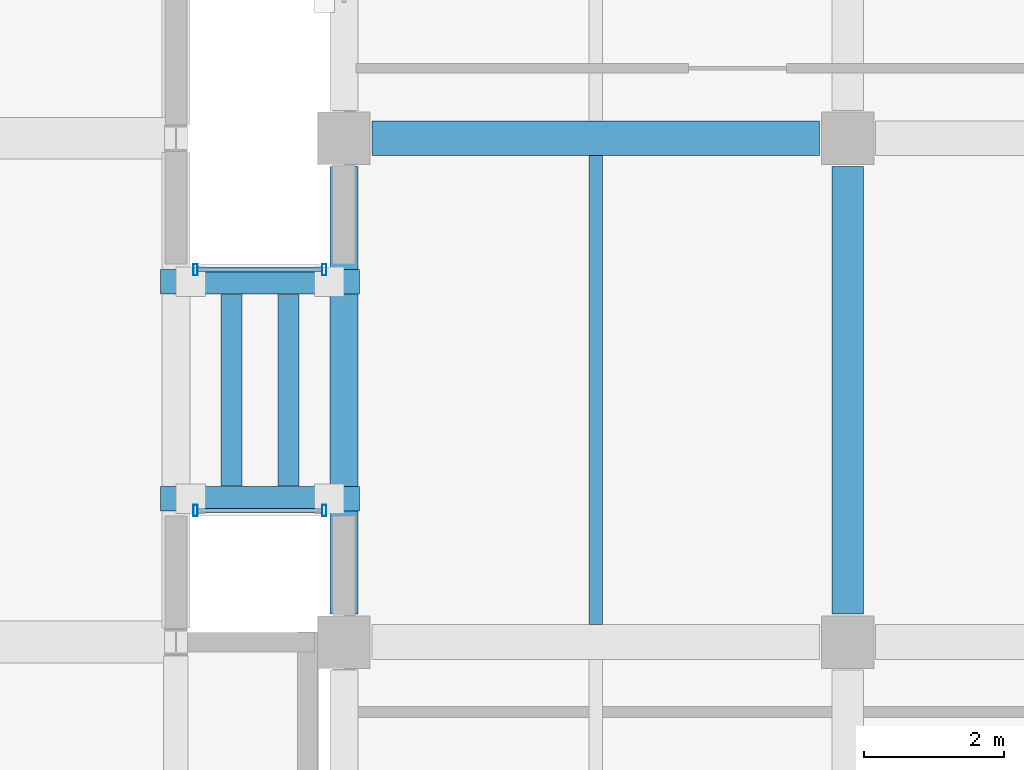
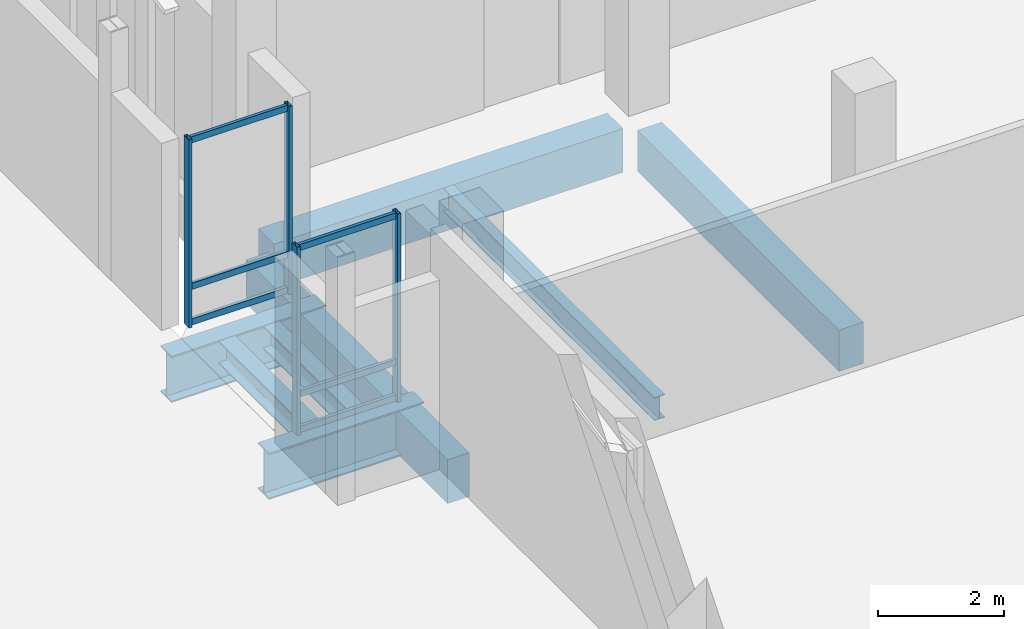
# One storey, part 60 of 193: 10 members, 8 beams, 2 elements without a shape of their own.
"""IFC4 building model written with IfcOpenShell, lengths in metres."""

from ifc_helpers import new_model, si_unit, direction, frame, origin, origin_2d, place, context, subcontext, project, spatial, rectangle, hollow_rectangle, i_section, extrude, material, material_profile, profile_set, type_object, element, aggregate, save


model = new_model("IFC4")

# Units and contexts
model_context = context("Model", 3, precision=1e-05, world=origin(), true_north=direction((0.0, 1.0)))
body_context = subcontext(model_context, "Body", "Model", "MODEL_VIEW")
ifc_project = project(units=[si_unit("LENGTHUNIT", "METRE"), si_unit("AREAUNIT", "SQUARE_METRE"), si_unit("VOLUMEUNIT", "CUBIC_METRE"), si_unit("PLANEANGLEUNIT", "RADIAN"), si_unit("MASSUNIT", "GRAM", prefix="KILO")], contexts=[model_context])

# Site, building, storey
site_placement = place(None, origin())
site = spatial("IfcSite", under=ifc_project, at=site_placement, CompositionType="ELEMENT")
building_placement = place(site_placement, origin())
building = spatial("IfcBuilding", under=site, at=building_placement, Name="Cendralis Lancet Convention Centre", CompositionType="ELEMENT")
storey_placement = place(building_placement, frame((0.0, 0.0, 10.199951171875)))
storey = spatial("IfcBuildingStorey", under=building, at=storey_placement, Name="L02", CompositionType="ELEMENT", Elevation=10.199951171875)

# Curtain wall, members
ifc_material_1 = material(Name="Anodised bronze architectural aluminium", Category="aluminium")
curtain_wall_type = type_object("IfcCurtainWallType", Name="ARC-CW-BR01", PredefinedType="USERDEFINED", material=ifc_material_1)
curtain_wall_1_placement = place(storey_placement, origin())
curtain_wall_1 = element("IfcCurtainWall", 1, at=curtain_wall_1_placement, inside=storey, type_object=curtain_wall_type, Name="L02 Curtain Wall CW-BR1 #205", ObjectType="CURTAIN WALL", PredefinedType="USERDEFINED")
ifc_material_profile_1 = material_profile(ifc_material_1, hollow_rectangle(XDim=0.06005859375, YDim=0.159912109375, WallThickness=0.00390625, at=origin_2d()), Name="AL-MULL 60x160x4.0")
ifc_profile_set_1 = profile_set([ifc_material_profile_1], Name="Anodised bronze architectural aluminium")
member_type_1 = type_object("IfcMemberType", Name="ARC-CW-ML01", PredefinedType="MULLION", material=ifc_profile_set_1)
member_1_placement = place(storey_placement, frame((129.8798828125, 16.280029296875, 0.0), z_axis=(0.0, 0.0, 1.0), x_axis=(1.0, 0.0, 0.0)))
member_1 = element("IfcMember", 2, at=member_1_placement, type_object=member_type_1, Name="Mullion CW2-CW-BR1-L02-205-M0", PredefinedType="MULLION", context=body_context, shape_type="SweptSolid", body=[
    extrude(hollow_rectangle(XDim=0.06005859375, YDim=0.159912109375, WallThickness=0.00390625, at=origin_2d()), origin(), (0.0, 0.0, 1.0), 3.650146484375),
])
member_2_placement = place(storey_placement, frame((131.719970703125, 16.280029296875, 0.0), z_axis=(0.0, 0.0, 1.0), x_axis=(1.0, 0.0, 0.0)))
member_2 = element("IfcMember", 3, at=member_2_placement, type_object=member_type_1, Name="Mullion CW2-CW-BR1-L02-205-M1", PredefinedType="MULLION", context=body_context, shape_type="SweptSolid", body=[
    extrude(hollow_rectangle(XDim=0.06005859375, YDim=0.159912109375, WallThickness=0.00390625, at=origin_2d()), origin(), (0.0, 0.0, 1.0), 3.650146484375),
])

curtain_wall_2_placement = place(storey_placement, origin())
curtain_wall_2 = element("IfcCurtainWall", 4, at=curtain_wall_2_placement, inside=storey, type_object=curtain_wall_type, Name="L02 Curtain Wall CW-BR1 #206", ObjectType="CURTAIN WALL", PredefinedType="USERDEFINED")
member_3_placement = place(storey_placement, frame((129.8798828125, 19.719970703125, 0.0), z_axis=(0.0, 0.0, 1.0), x_axis=(1.0, 0.0, 0.0)))
member_3 = element("IfcMember", 5, at=member_3_placement, type_object=member_type_1, Name="Mullion CW2-CW-BR1-L02-206-M0", PredefinedType="MULLION", context=body_context, shape_type="SweptSolid", body=[
    extrude(hollow_rectangle(XDim=0.06005859375, YDim=0.159912109375, WallThickness=0.00390625, at=origin_2d()), origin(), (0.0, 0.0, 1.0), 3.650146484375),
])
member_4_placement = place(storey_placement, frame((131.719970703125, 19.719970703125, 0.0), z_axis=(0.0, 0.0, 1.0), x_axis=(1.0, 0.0, 0.0)))
member_4 = element("IfcMember", 6, at=member_4_placement, type_object=member_type_1, Name="Mullion CW2-CW-BR1-L02-206-M1", PredefinedType="MULLION", context=body_context, shape_type="SweptSolid", body=[
    extrude(hollow_rectangle(XDim=0.06005859375, YDim=0.159912109375, WallThickness=0.00390625, at=origin_2d()), origin(), (0.0, 0.0, 1.0), 3.650146484375),
])

# Member
ifc_material_profile_2 = material_profile(ifc_material_1, hollow_rectangle(XDim=0.06005859375, YDim=0.1201171875, WallThickness=0.00390625, at=origin_2d()), Name="AL-TRAN 60x120x4.0")
ifc_profile_set_2 = profile_set([ifc_material_profile_2], Name="Anodised bronze architectural aluminium")
member_type_2 = type_object("IfcMemberType", Name="ARC-CW-TR01", PredefinedType="USERDEFINED", material=ifc_profile_set_2)
member_5_placement = place(storey_placement, frame((129.909912109375, 16.280029296875, 0.06005859375), z_axis=(1.0, 0.0, 0.0), x_axis=(0.0, 1.0, 0.0)))
member_5 = element("IfcMember", 7, at=member_5_placement, type_object=member_type_2, Name="Transom CW2-CW-BR1-L02-205-T0BOT", ObjectType="TRANSOM", PredefinedType="USERDEFINED", context=body_context, shape_type="SweptSolid", body=[
    extrude(hollow_rectangle(XDim=0.06005859375, YDim=0.1201171875, WallThickness=0.00390625, at=origin_2d()), origin(), (0.0, 0.0, 1.0), 1.780029296875),
])

member_6_placement = place(storey_placement, frame((129.909912109375, 16.280029296875, 0.75), z_axis=(1.0, 0.0, 0.0), x_axis=(0.0, 1.0, 0.0)))
member_6 = element("IfcMember", 8, at=member_6_placement, type_object=member_type_2, Name="Transom CW2-CW-BR1-L02-205-T0MID", ObjectType="TRANSOM", PredefinedType="USERDEFINED", context=body_context, shape_type="SweptSolid", body=[
    extrude(hollow_rectangle(XDim=0.06005859375, YDim=0.1201171875, WallThickness=0.00390625, at=origin_2d()), origin(), (0.0, 0.0, 1.0), 1.780029296875),
])

member_7_placement = place(storey_placement, frame((129.909912109375, 16.280029296875, 3.590087890625), z_axis=(1.0, 0.0, 0.0), x_axis=(0.0, 1.0, 0.0)))
member_7 = element("IfcMember", 9, at=member_7_placement, type_object=member_type_2, Name="Transom CW2-CW-BR1-L02-205-T0TOP", ObjectType="TRANSOM", PredefinedType="USERDEFINED", context=body_context, shape_type="SweptSolid", body=[
    extrude(hollow_rectangle(XDim=0.06005859375, YDim=0.1201171875, WallThickness=0.00390625, at=origin_2d()), origin(), (0.0, 0.0, 1.0), 1.780029296875),
])

aggregate(curtain_wall_1, [member_1, member_2, member_5, member_6, member_7])

member_8_placement = place(storey_placement, frame((129.909912109375, 19.719970703125, 0.06005859375), z_axis=(1.0, 0.0, 0.0), x_axis=(0.0, 1.0, 0.0)))
member_8 = element("IfcMember", 10, at=member_8_placement, type_object=member_type_2, Name="Transom CW2-CW-BR1-L02-206-T0BOT", ObjectType="TRANSOM", PredefinedType="USERDEFINED", context=body_context, shape_type="SweptSolid", body=[
    extrude(hollow_rectangle(XDim=0.06005859375, YDim=0.1201171875, WallThickness=0.00390625, at=origin_2d()), origin(), (0.0, 0.0, 1.0), 1.780029296875),
])

member_9_placement = place(storey_placement, frame((129.909912109375, 19.719970703125, 0.75), z_axis=(1.0, 0.0, 0.0), x_axis=(0.0, 1.0, 0.0)))
member_9 = element("IfcMember", 11, at=member_9_placement, type_object=member_type_2, Name="Transom CW2-CW-BR1-L02-206-T0MID", ObjectType="TRANSOM", PredefinedType="USERDEFINED", context=body_context, shape_type="SweptSolid", body=[
    extrude(hollow_rectangle(XDim=0.06005859375, YDim=0.1201171875, WallThickness=0.00390625, at=origin_2d()), origin(), (0.0, 0.0, 1.0), 1.780029296875),
])

member_10_placement = place(storey_placement, frame((129.909912109375, 19.719970703125, 3.590087890625), z_axis=(1.0, 0.0, 0.0), x_axis=(0.0, 1.0, 0.0)))
member_10 = element("IfcMember", 12, at=member_10_placement, type_object=member_type_2, Name="Transom CW2-CW-BR1-L02-206-T0TOP", ObjectType="TRANSOM", PredefinedType="USERDEFINED", context=body_context, shape_type="SweptSolid", body=[
    extrude(hollow_rectangle(XDim=0.06005859375, YDim=0.1201171875, WallThickness=0.00390625, at=origin_2d()), origin(), (0.0, 0.0, 1.0), 1.780029296875),
])

aggregate(curtain_wall_2, [member_3, member_4, member_8, member_9, member_10])

# Beams
ifc_material_2 = material(Name="Concrete G35 (C35/45)", Category="concrete")
ifc_material_profile_3 = material_profile(ifc_material_2, rectangle(XDim=0.5, YDim=0.85009765625, at=origin_2d()), Name="RCB 500x850")
ifc_profile_set_3 = profile_set([ifc_material_profile_3], Name="Concrete G35 (C35/45)")
beam_type_1 = type_object("IfcBeamType", Name="STR-BM-BG08", PredefinedType="BEAM", material=ifc_profile_set_3)
beam_1_placement = place(storey_placement, frame((132.39990234375, 21.60009765625, -0.724853515625), z_axis=(1.0, 0.0, 0.0), x_axis=(0.0, 1.0, 0.0)))
element("IfcBeam", 13, at=beam_1_placement, inside=storey, type_object=beam_type_1, Name="L02 Beam BG08 #0273", PredefinedType="BEAM", context=body_context, shape_type="SweptSolid", body=[
    extrude(rectangle(XDim=0.5, YDim=0.85009765625, at=origin_2d()), origin(), (0.0, 0.0, 1.0), 6.400146484375),
])
ifc_material_profile_4 = material_profile(ifc_material_2, rectangle(XDim=0.449951171875, YDim=0.800048828125, at=origin_2d()), Name="RCB 450x800")
ifc_profile_set_4 = profile_set([ifc_material_profile_4], Name="Concrete G35 (C35/45)")
beam_type_2 = type_object("IfcBeamType", Name="STR-BM-BG10", PredefinedType="BEAM", material=ifc_profile_set_4)
beam_2_placement = place(storey_placement, frame((139.199951171875, 14.800048828125, -0.699951171875), z_axis=(0.0, 1.0, 0.0), x_axis=(-1.0, 0.0, 0.0)))
element("IfcBeam", 14, at=beam_2_placement, inside=storey, type_object=beam_type_2, Name="L02 Beam BG10 #0308", PredefinedType="BEAM", context=body_context, shape_type="SweptSolid", body=[
    extrude(rectangle(XDim=0.449951171875, YDim=0.800048828125, at=origin_2d()), origin(), (0.0, 0.0, 1.0), 6.39990234375),
])
ifc_material_3 = material(Name="Steel S355", Category="steel")
ifc_material_profile_5 = material_profile(ifc_material_3, i_section(OverallWidth=0.35009765625, OverallDepth=0.89990234375, WebThickness=0.01611328125, FlangeThickness=0.028076171875, at=origin_2d()), Name="PG 900x350")
ifc_profile_set_5 = profile_set([ifc_material_profile_5], Name="Steel S355")
beam_type_3 = type_object("IfcBeamType", Name="STR-BM-SG05", PredefinedType="BEAM", material=ifc_profile_set_5)
for number, where, z_axis, x_axis, name in (
    (15, (129.3798828125, 16.449951171875, -0.669921875), (1.0, 0.0, 0.0), (0.0, 1.0, 0.0), "L02 Beam SG05 #1908"),
    (16, (129.3798828125, 19.550048828125, -0.669921875), (1.0, 0.0, 0.0), (0.0, 1.0, 0.0), "L02 Beam SG05 #1909"),
):
    element("IfcBeam", number, at=place(storey_placement, frame(where, z_axis=z_axis, x_axis=x_axis)), inside=storey, type_object=beam_type_3, Name=name, PredefinedType="BEAM", context=body_context, shape_type="SweptSolid", body=[
        extrude(i_section(OverallWidth=0.35009765625, OverallDepth=0.89990234375, WebThickness=0.01611328125, FlangeThickness=0.028076171875, at=origin_2d()), origin(), (0.0, 0.0, 1.0), 2.840087890625),
    ])
ifc_material_profile_6 = material_profile(ifc_material_3, i_section(OverallWidth=0.300048828125, OverallDepth=0.43994140625, WebThickness=0.011474609375, FlangeThickness=0.02099609375, FilletRadius=0.027099609375, at=origin_2d()), Name="HEA 450")
ifc_profile_set_6 = profile_set([ifc_material_profile_6], Name="Steel S355")
beam_type_4 = type_object("IfcBeamType", Name="STR-BM-SG13", PredefinedType="BEAM", material=ifc_profile_set_6)
for number, where, z_axis, x_axis, name in (
    (17, (130.39208984375, 16.6298828125, -0.43994140625), (0.0, 1.0, 0.0), (-1.0, 0.0, 0.0), "L02 Beam SG13 #1910"),
    (18, (131.2080078125, 16.6298828125, -0.43994140625), (0.0, 1.0, 0.0), (-1.0, 0.0, 0.0), "L02 Beam SG13 #1911"),
):
    element("IfcBeam", number, at=place(storey_placement, frame(where, z_axis=z_axis, x_axis=x_axis)), inside=storey, type_object=beam_type_4, Name=name, PredefinedType="BEAM", context=body_context, shape_type="SweptSolid", body=[
        extrude(i_section(OverallWidth=0.300048828125, OverallDepth=0.43994140625, WebThickness=0.011474609375, FlangeThickness=0.02099609375, FilletRadius=0.027099609375, at=origin_2d()), origin(), (0.0, 0.0, 1.0), 2.740234375),
    ])
ifc_material_profile_7 = material_profile(ifc_material_3, i_section(OverallWidth=0.18994140625, OverallDepth=0.449951171875, WebThickness=0.009521484375, FlangeThickness=0.0146484375, FilletRadius=0.02099609375, at=origin_2d()), Name="IPE 450")
ifc_profile_set_7 = profile_set([ifc_material_profile_7], Name="Steel S355")
beam_type_5 = type_object("IfcBeamType", Name="STR-JS-BJ07", PredefinedType="JOIST", material=ifc_profile_set_7)
beam_3_placement = place(storey_placement, frame((135.60009765625, 14.64990234375, -0.52490234375), z_axis=(0.0, 1.0, 0.0), x_axis=(-1.0, 0.0, 0.0)))
element("IfcBeam", 19, at=beam_3_placement, inside=storey, type_object=beam_type_5, Name="L02 Beam BJ07 #0346", PredefinedType="JOIST", context=body_context, shape_type="SweptSolid", body=[
    extrude(i_section(OverallWidth=0.18994140625, OverallDepth=0.449951171875, WebThickness=0.009521484375, FlangeThickness=0.0146484375, FilletRadius=0.02099609375, at=origin_2d()), origin(), (0.0, 0.0, 1.0), 6.7001953125),
])
ifc_material_4 = material(Name="Concrete G40 (C40/50)", Category="concrete")
ifc_material_profile_8 = material_profile(ifc_material_4, rectangle(XDim=0.39990234375, YDim=0.85009765625, at=origin_2d()), Name="RCB 400x850")
ifc_profile_set_8 = profile_set([ifc_material_profile_8], Name="Concrete G40 (C40/50)")
beam_type_6 = type_object("IfcBeamType", Name="STR-SP-SP02", PredefinedType="SPANDREL", material=ifc_profile_set_8)
beam_4_placement = place(storey_placement, frame((132.0, 14.800048828125, -0.724853515625), z_axis=(0.0, 1.0, 0.0), x_axis=(-1.0, 0.0, 0.0)))
element("IfcBeam", 20, at=beam_4_placement, inside=storey, type_object=beam_type_6, Name="L02 Beam SP02 #0304", PredefinedType="SPANDREL", context=body_context, shape_type="SweptSolid", body=[
    extrude(rectangle(XDim=0.39990234375, YDim=0.85009765625, at=origin_2d()), origin(), (0.0, 0.0, 1.0), 6.39990234375),
])

save(model, "model.ifc")
